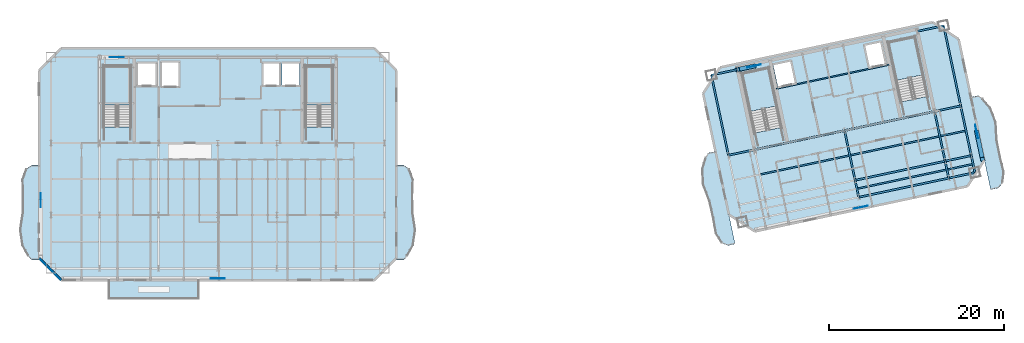
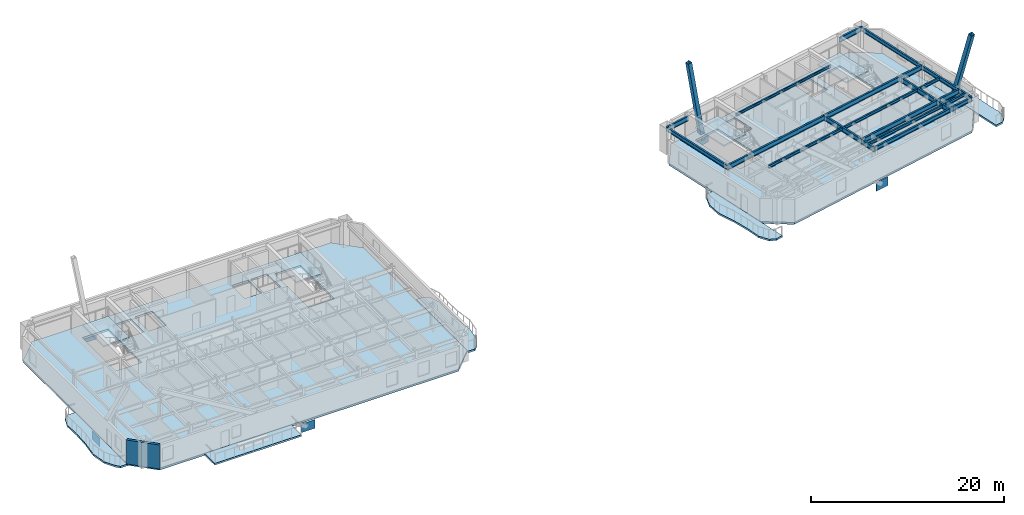
# One storey, part 4 of 14: 24 beams, 11 slabs, 6 plates, 2 members, 1 wall, 4 elements without a shape of their own.
"""IFC4 building model written with IfcOpenShell, lengths in metres."""

from ifc_helpers import new_model, si_unit, direction, frame, frame_2d, origin, origin_2d, place, context, subcontext, project, spatial, polyline, rectangle, hollow_rectangle, i_section, outline, extrude, material, layer, layer_set, material_profile, profile_set, type_object, element, aggregate, save


model = new_model("IFC4")

# Units and contexts
model_context = context("Model", 3, precision=1e-05, world=origin(), true_north=direction((0.0, 1.0)))
body_context = subcontext(model_context, "Body", "Model", "MODEL_VIEW")
ifc_project = project(units=[si_unit("LENGTHUNIT", "METRE"), si_unit("AREAUNIT", "SQUARE_METRE"), si_unit("VOLUMEUNIT", "CUBIC_METRE"), si_unit("PLANEANGLEUNIT", "RADIAN"), si_unit("MASSUNIT", "GRAM", prefix="KILO")], contexts=[model_context])

# Site, building, storey
site_placement = place(None, origin())
site = spatial("IfcSite", under=ifc_project, at=site_placement, CompositionType="ELEMENT")
building_placement = place(site_placement, origin())
building = spatial("IfcBuilding", under=site, at=building_placement, Name="Haevon Station Towers", CompositionType="ELEMENT")
storey_placement = place(building_placement, frame((0.0, 0.0, 208.800048828125)))
storey = spatial("IfcBuildingStorey", under=building, at=storey_placement, Name="L57", CompositionType="ELEMENT", Elevation=208.800048828125)

# Beams
ifc_material_1 = material(Name="Steel S355", Category="steel")
ifc_material_profile_1 = material_profile(ifc_material_1, i_section(OverallWidth=0.199951171875, OverallDepth=0.60009765625, WebThickness=0.010986328125, FlangeThickness=0.01708984375, at=origin_2d()), Name="H-600x200x11x17")
ifc_profile_set_1 = profile_set([ifc_material_profile_1], Name="Steel S355")
beam_type_1 = type_object("IfcBeamType", Name="BM-G600", PredefinedType="BEAM", material=ifc_profile_set_1)
beam_1_placement = place(storey_placement, frame((110.228759765625, 33.9521484375, 2.75), z_axis=(0.978146794194, 0.207915485254, 0.0), x_axis=(-0.207915485254, 0.978146794194, 0.0)))
element("IfcBeam", 1, at=beam_1_placement, inside=storey, type_object=beam_type_1, Name="BM-T2U-L57-02-03", PredefinedType="BEAM", context=body_context, shape_type="SweptSolid", body=[
    extrude(i_section(OverallWidth=0.199951171875, OverallDepth=0.60009765625, WebThickness=0.010986328125, FlangeThickness=0.01708984375, at=origin_2d()), origin(), (0.0, 0.0, 1.0), 10.5),
])
for number, where, z_axis, x_axis, name in (
    (2, (120.499267578125, 36.13525390625, 2.75), (0.978138503145, 0.207954487003, 0.0), (-0.207954487003, 0.978138503145, 0.0), "BM-T2U-L57-02-04"),
    (3, (95.76904296875, 36.808349609375, 2.75), (0.978154782045, 0.207877902534, 0.0), (-0.207877902534, 0.978154782045, 0.0), "BM-T2U-L57-03-01"),
):
    element("IfcBeam", number, at=place(storey_placement, frame(where, z_axis=z_axis, x_axis=x_axis)), inside=storey, type_object=beam_type_1, Name=name, PredefinedType="BEAM", context=body_context, shape_type="SweptSolid", body=[
        extrude(i_section(OverallWidth=0.199951171875, OverallDepth=0.60009765625, WebThickness=0.010986328125, FlangeThickness=0.01708984375, at=origin_2d()), origin(), (0.0, 0.0, 1.0), 3.050048828125),
    ])
for number, where, z_axis, x_axis, name in (
    (4, (98.75244140625, 37.4423828125, 2.75), (0.978146794194, 0.207915485254, 0.0), (-0.207915485254, 0.978146794194, 0.0), "BM-T2U-L57-03-02"),
    (5, (109.02294921875, 39.62548828125, 2.75), (0.978146794194, 0.207915485254, 0.0), (-0.207915485254, 0.978146794194, 0.0), "BM-T2U-L57-03-03"),
):
    element("IfcBeam", number, at=place(storey_placement, frame(where, z_axis=z_axis, x_axis=x_axis)), inside=storey, type_object=beam_type_1, Name=name, PredefinedType="BEAM", context=body_context, shape_type="SweptSolid", body=[
        extrude(i_section(OverallWidth=0.199951171875, OverallDepth=0.60009765625, WebThickness=0.010986328125, FlangeThickness=0.01708984375, at=origin_2d()), origin(), (0.0, 0.0, 1.0), 10.5),
    ])
for number, where, z_axis, x_axis, name in (
    (6, (119.29345703125, 41.80859375, 2.75), (0.978154782045, 0.207877902534, 0.0), (-0.207877902534, 0.978154782045, 0.0), "BM-T2U-L57-03-04"),
    (7, (93.824951171875, 45.953857421875, 2.75), (0.978138503145, 0.207954487003, 0.0), (-0.207954487003, 0.978138503145, 0.0), "BM-T2U-L57-04-01"),
    (8, (117.349365234375, 50.954345703125, 2.75), (0.978154782045, 0.207877902534, 0.0), (-0.207877902534, 0.978154782045, 0.0), "BM-T2U-L57-04-04"),
):
    element("IfcBeam", number, at=place(storey_placement, frame(where, z_axis=z_axis, x_axis=x_axis)), inside=storey, type_object=beam_type_1, Name=name, PredefinedType="BEAM", context=body_context, shape_type="SweptSolid", body=[
        extrude(i_section(OverallWidth=0.199951171875, OverallDepth=0.60009765625, WebThickness=0.010986328125, FlangeThickness=0.01708984375, at=origin_2d()), origin(), (0.0, 0.0, 1.0), 3.050048828125),
    ])
beam_2_placement = place(storey_placement, frame((110.640380859375, 32.015380859375, 2.75), z_axis=(-0.207886774674, 0.978152896492, 0.0), x_axis=(-0.978152896492, -0.207886774674, 0.0)))
element("IfcBeam", 9, at=beam_2_placement, inside=storey, type_object=beam_type_1, Name="BM-T2V-L57-03-01", PredefinedType="BEAM", context=body_context, shape_type="SweptSolid", body=[
    extrude(i_section(OverallWidth=0.199951171875, OverallDepth=0.60009765625, WebThickness=0.010986328125, FlangeThickness=0.01708984375, at=origin_2d()), origin(), (0.0, 0.0, 1.0), 1.97998046875),
])
beam_3_placement = place(storey_placement, frame((110.228759765625, 33.9521484375, 2.75), z_axis=(-0.207896009217, 0.97815093383, 0.0), x_axis=(-0.97815093383, -0.207896009217, 0.0)))
element("IfcBeam", 10, at=beam_3_placement, inside=storey, type_object=beam_type_1, Name="BM-T2V-L57-03-02", PredefinedType="BEAM", context=body_context, shape_type="SweptSolid", body=[
    extrude(i_section(OverallWidth=0.199951171875, OverallDepth=0.60009765625, WebThickness=0.010986328125, FlangeThickness=0.01708984375, at=origin_2d()), origin(), (0.0, 0.0, 1.0), 5.800048828125),
])
beam_4_placement = place(storey_placement, frame((120.910888671875, 34.198486328125, 2.75), z_axis=(-0.207886774674, 0.978152896492, 0.0), x_axis=(-0.978152896492, -0.207886774674, 0.0)))
element("IfcBeam", 11, at=beam_4_placement, inside=storey, type_object=beam_type_1, Name="BM-T2V-L57-04-01", PredefinedType="BEAM", context=body_context, shape_type="SweptSolid", body=[
    extrude(i_section(OverallWidth=0.199951171875, OverallDepth=0.60009765625, WebThickness=0.010986328125, FlangeThickness=0.01708984375, at=origin_2d()), origin(), (0.0, 0.0, 1.0), 1.97998046875),
])
beam_5_placement = place(storey_placement, frame((120.499267578125, 36.13525390625, 2.75), z_axis=(-0.207896009217, 0.97815093383, 0.0), x_axis=(-0.97815093383, -0.207896009217, 0.0)))
element("IfcBeam", 12, at=beam_5_placement, inside=storey, type_object=beam_type_1, Name="BM-T2V-L57-04-02", PredefinedType="BEAM", context=body_context, shape_type="SweptSolid", body=[
    extrude(i_section(OverallWidth=0.199951171875, OverallDepth=0.60009765625, WebThickness=0.010986328125, FlangeThickness=0.01708984375, at=origin_2d()), origin(), (0.0, 0.0, 1.0), 5.800048828125),
])
ifc_material_profile_2 = material_profile(ifc_material_1, i_section(OverallWidth=0.175048828125, OverallDepth=0.35009765625, WebThickness=0.007080078125, FlangeThickness=0.010986328125, at=origin_2d()), Name="H-350x175x7x11")
ifc_profile_set_2 = profile_set([ifc_material_profile_2], Name="Steel S355")
beam_type_2 = type_object("IfcBeamType", Name="BM-J350", PredefinedType="JOIST", material=ifc_profile_set_2)
beam_6_placement = place(storey_placement, frame((110.542236328125, 33.0068359375, 2.875), z_axis=(0.978150339653, 0.207898804801, 0.0), x_axis=(-0.207898804801, 0.978150339653, 0.0)))
element("IfcBeam", 13, at=beam_6_placement, inside=storey, type_object=beam_type_2, Name="BM-T2J-L57-01-03", PredefinedType="JOIST", context=body_context, shape_type="SweptSolid", body=[
    extrude(i_section(OverallWidth=0.175048828125, OverallDepth=0.35009765625, WebThickness=0.007080078125, FlangeThickness=0.010986328125, at=origin_2d()), origin(), (0.0, 0.0, 1.0), 10.280029296875),
])
beam_7_placement = place(storey_placement, frame((120.812744140625, 35.189697265625, 2.875), z_axis=(0.9781470094, 0.207914472804, 0.0), x_axis=(-0.207914472804, 0.9781470094, 0.0)))
element("IfcBeam", 14, at=beam_7_placement, inside=storey, type_object=beam_type_2, Name="BM-T2J-L57-01-04", PredefinedType="JOIST", context=body_context, shape_type="SweptSolid", body=[
    extrude(i_section(OverallWidth=0.175048828125, OverallDepth=0.35009765625, WebThickness=0.007080078125, FlangeThickness=0.010986328125, at=origin_2d()), origin(), (0.0, 0.0, 1.0), 2.829833984375),
])
for number, where, z_axis, x_axis, name in (
    (15, (99.462890625, 34.628662109375, 2.875), (0.978150339653, 0.207898804801, 0.0), (-0.207898804801, 0.978150339653, 0.0), "BM-T2J-L57-02-02"),
    (16, (109.7333984375, 36.811767578125, 2.875), (0.978150339653, 0.207898804801, 0.0), (-0.207898804801, 0.978150339653, 0.0), "BM-T2J-L57-02-03"),
):
    element("IfcBeam", number, at=place(storey_placement, frame(where, z_axis=z_axis, x_axis=x_axis)), inside=storey, type_object=beam_type_2, Name=name, PredefinedType="JOIST", context=body_context, shape_type="SweptSolid", body=[
        extrude(i_section(OverallWidth=0.175048828125, OverallDepth=0.35009765625, WebThickness=0.007080078125, FlangeThickness=0.010986328125, at=origin_2d()), origin(), (0.0, 0.0, 1.0), 10.280029296875),
    ])
beam_8_placement = place(storey_placement, frame((120.00390625, 38.994873046875, 2.875), z_axis=(0.978150738312, 0.207896929124, 0.0), x_axis=(-0.207896929124, 0.978150738312, 0.0)))
element("IfcBeam", 17, at=beam_8_placement, inside=storey, type_object=beam_type_2, Name="BM-T2J-L57-02-04", PredefinedType="JOIST", context=body_context, shape_type="SweptSolid", body=[
    extrude(i_section(OverallWidth=0.175048828125, OverallDepth=0.35009765625, WebThickness=0.007080078125, FlangeThickness=0.010986328125, at=origin_2d()), origin(), (0.0, 0.0, 1.0), 2.830078125),
])
ifc_material_profile_3 = material_profile(ifc_material_1, i_section(OverallWidth=0.14990234375, OverallDepth=0.300048828125, WebThickness=0.006591796875, FlangeThickness=0.009033203125, at=origin_2d()), Name="H-300x150x6.5x9")
ifc_profile_set_3 = profile_set([ifc_material_profile_3], Name="Steel S355")
beam_type_3 = type_object("IfcBeamType", Name="BM-LIN300", PredefinedType="LINTEL", material=ifc_profile_set_3)
beam_9_placement = place(storey_placement, frame((101.20849609375, 44.4052734375, 2.89990234375), z_axis=(0.978147802964, 0.207910739399, 0.0), x_axis=(-0.207910739399, 0.978147802964, 0.0)))
element("IfcBeam", 18, at=beam_9_placement, inside=storey, type_object=beam_type_3, Name="BM-T2LIN-L57", PredefinedType="LINTEL", context=body_context, shape_type="SweptSolid", body=[
    extrude(i_section(OverallWidth=0.14990234375, OverallDepth=0.300048828125, WebThickness=0.006591796875, FlangeThickness=0.009033203125, at=origin_2d()), origin(), (0.0, 0.0, 1.0), 13.19970703125),
])
ifc_material_profile_4 = material_profile(ifc_material_1, i_section(OverallWidth=0.199951171875, OverallDepth=0.5, WebThickness=0.010009765625, FlangeThickness=0.01611328125, at=origin_2d()), Name="H-500x200x10x16")
ifc_profile_set_4 = profile_set([ifc_material_profile_4], Name="Steel S355")
beam_type_4 = type_object("IfcBeamType", Name="BM-SP500", PredefinedType="SPANDREL", material=ifc_profile_set_4)
beam_10_placement = place(storey_placement, frame((110.640380859375, 32.015380859375, 2.800048828125), z_axis=(0.978146794194, 0.207915485254, 0.0), x_axis=(-0.207915485254, 0.978146794194, 0.0)))
element("IfcBeam", 19, at=beam_10_placement, inside=storey, type_object=beam_type_4, Name="BM-T2U-L57-01-03", PredefinedType="SPANDREL", context=body_context, shape_type="SweptSolid", body=[
    extrude(i_section(OverallWidth=0.199951171875, OverallDepth=0.5, WebThickness=0.010009765625, FlangeThickness=0.01611328125, at=origin_2d()), origin(), (0.0, 0.0, 1.0), 10.5),
])
beam_11_placement = place(storey_placement, frame((120.910888671875, 34.198486328125, 2.800048828125), z_axis=(0.978138503145, 0.207954487003, 0.0), x_axis=(-0.207954487003, 0.978138503145, 0.0)))
element("IfcBeam", 20, at=beam_11_placement, inside=storey, type_object=beam_type_4, Name="BM-T2U-L57-01-04", PredefinedType="SPANDREL", context=body_context, shape_type="SweptSolid", body=[
    extrude(i_section(OverallWidth=0.199951171875, OverallDepth=0.5, WebThickness=0.010009765625, FlangeThickness=0.01611328125, at=origin_2d()), origin(), (0.0, 0.0, 1.0), 3.050048828125),
])
beam_12_placement = place(storey_placement, frame((95.76904296875, 36.808349609375, 2.800048828125), z_axis=(-0.207927460032, 0.978144248751, 0.0), x_axis=(-0.978144248751, -0.207927460032, 0.0)))
element("IfcBeam", 21, at=beam_12_placement, inside=storey, type_object=beam_type_4, Name="BM-T2V-L57-01-03", PredefinedType="SPANDREL", context=body_context, shape_type="SweptSolid", body=[
    extrude(i_section(OverallWidth=0.199951171875, OverallDepth=0.5, WebThickness=0.010009765625, FlangeThickness=0.01611328125, at=origin_2d()), origin(), (0.0, 0.0, 1.0), 9.349853515625),
])
beam_13_placement = place(storey_placement, frame((123.894287109375, 34.832763671875, 2.800048828125), z_axis=(-0.207886774674, 0.978152896492, 0.0), x_axis=(-0.978152896492, -0.207886774674, 0.0)))
element("IfcBeam", 22, at=beam_13_placement, inside=storey, type_object=beam_type_4, Name="BM-T2V-L57-05-01", PredefinedType="SPANDREL", context=body_context, shape_type="SweptSolid", body=[
    extrude(i_section(OverallWidth=0.199951171875, OverallDepth=0.5, WebThickness=0.010009765625, FlangeThickness=0.01611328125, at=origin_2d()), origin(), (0.0, 0.0, 1.0), 1.97998046875),
])
beam_14_placement = place(storey_placement, frame((123.482666015625, 36.76953125, 2.800048828125), z_axis=(-0.207904569273, 0.978149114438, 0.0), x_axis=(-0.978149114438, -0.207904569273, 0.0)))
element("IfcBeam", 23, at=beam_14_placement, inside=storey, type_object=beam_type_4, Name="BM-T2V-L57-05-02", PredefinedType="SPANDREL", context=body_context, shape_type="SweptSolid", body=[
    extrude(i_section(OverallWidth=0.199951171875, OverallDepth=0.5, WebThickness=0.010009765625, FlangeThickness=0.01611328125, at=origin_2d()), origin(), (0.0, 0.0, 1.0), 5.7998046875),
])
beam_15_placement = place(storey_placement, frame((122.27685546875, 42.442626953125, 2.800048828125), z_axis=(-0.207922149488, 0.978145377616, 0.0), x_axis=(-0.978145377616, -0.207922149488, 0.0)))
element("IfcBeam", 24, at=beam_15_placement, inside=storey, type_object=beam_type_4, Name="BM-T2V-L57-05-03", PredefinedType="SPANDREL", context=body_context, shape_type="SweptSolid", body=[
    extrude(i_section(OverallWidth=0.199951171875, OverallDepth=0.5, WebThickness=0.010009765625, FlangeThickness=0.01611328125, at=origin_2d()), origin(), (0.0, 0.0, 1.0), 9.35009765625),
])

# Members
ifc_material_2 = material(Name="Steel S460", Category="steel")
ifc_material_profile_5 = material_profile(ifc_material_2, hollow_rectangle(XDim=0.47998046875, YDim=0.47998046875, WallThickness=0.02490234375, at=origin_2d()), Name="RHS-480x480x25")
ifc_profile_set_5 = profile_set([ifc_material_profile_5], Name="Steel S460")
member_type = type_object("IfcMemberType", Name="MB-480", PredefinedType="BRACE", material=ifc_profile_set_5)
member_1_placement = place(storey_placement, frame((98.64794921875, 46.97900390625, -0.786865234375), z_axis=(-0.171870836983, -0.036518276046, 0.984442395933), x_axis=(0.207835466893, -0.978163799525, 0.0)))
element("IfcMember", 25, at=member_1_placement, inside=storey, type_object=member_type, Name="BR-T2MB-T08-N-D2B", PredefinedType="BRACE", context=body_context, shape_type="SweptSolid", body=[
    extrude(hollow_rectangle(XDim=0.47998046875, YDim=0.47998046875, WallThickness=0.02490234375, at=origin_2d()), origin(), (0.0, 0.0, 1.0), 10.703369140625),
])
member_2_placement = place(storey_placement, frame((124.10986328125, 39.44580078125, -0.793701171875), z_axis=(0.059831114032, -0.281414691278, 0.957719170387), x_axis=(0.978137297084, 0.207960159774, 0.0)))
element("IfcMember", 26, at=member_2_placement, inside=storey, type_object=member_type, Name="BR-T2MB-T08-E-D2B", PredefinedType="BRACE", context=body_context, shape_type="SweptSolid", body=[
    extrude(hollow_rectangle(XDim=0.47998046875, YDim=0.47998046875, WallThickness=0.02490234375, at=origin_2d()), origin(), (0.0, 0.0, 1.0), 11.00927734375),
])

# Plates
ifc_material_3 = material(Name="PL-GUS1", Category="steel")
ifc_layer_1 = layer(ifc_material_3, 0.035888671875)
ifc_layer_set_1 = layer_set([ifc_layer_1], Name="PL-GUS1")
plate_type = type_object("IfcPlateType", Name="PL-GUS1", PredefinedType="USERDEFINED", material=ifc_layer_set_1)
for number, where, z_axis, x_axis, name in (
    (27, (37.5, 22.72998046875, -1.585205078125), (0.0, 0.0, 1.0), (1.0, 0.0, 0.0), "PL-T1GUS-T08-S"),
    (28, (25.97509765625, 48.0, -1.585205078125), (0.0, 0.0, 1.0), (1.0, 0.0, 0.0), "PL-T1GUS-T08-N"),
    (29, (17.304931640625, 31.699951171875, -1.585205078125), (0.0, 0.0, 1.0), (0.0, 1.0, 0.0), "PL-T1GUS-T08-W"),
    (30, (110.8837890625, 30.87109375, -1.585205078125), (0.0, 0.0, 1.0), (0.978147600734, 0.207911690818, 0.0), "PL-T2GUS-T08-S"),
    (31, (98.69140625, 46.98828125, -1.585205078125), (0.0, 0.0, 1.0), (0.978147600734, 0.207911690818, 0.0), "PL-T2GUS-T08-N"),
    (32, (124.094970703125, 39.516845703125, -1.585205078125), (0.0, 0.0, 1.0), (-0.207911690818, 0.978147600734, 0.0), "PL-T2GUS-T08-E"),
):
    element("IfcPlate", number, at=place(storey_placement, frame(where, z_axis=z_axis, x_axis=x_axis)), inside=storey, type_object=plate_type, Name=name, ObjectType="GUSSET_PLATE", PredefinedType="USERDEFINED", context=body_context, shape_type="SweptSolid", body=[
        extrude(rectangle(XDim=1.60009765625, YDim=0.035888671875, at=origin_2d()), origin(), (0.0, 0.0, 1.0), 1.10009765625),
    ])

# Slabs
ifc_material_4 = material(Name="Concrete C40/50", Category="concrete")
ifc_layer_2 = layer(ifc_material_4, 0.219970703125)
ifc_layer_set_2 = layer_set([ifc_layer_2], Name="Concrete C40/50")
slab_type_1 = type_object("IfcSlabType", Name="SL-BALC220", PredefinedType="FLOOR", material=ifc_layer_set_2)
slab_1_placement = place(storey_placement, frame((0.0, 0.0, -0.219970703125)))
element("IfcSlab", 33, at=slab_1_placement, inside=storey, type_object=slab_type_1, Name="Tower 1 L57 West SCALLOPED BALCONY", PredefinedType="FLOOR", context=body_context, shape_type="SweptSolid", body=[
    extrude(outline(polyline([(17.1201171875, 35.675048828125), (16.27001953125, 35.675048828125), (15.65673828125, 35.263916015625), (15.227783203125, 34.09326171875), (15.2841796875, 32.341552734375), (15.199462890625, 30.27490234375), (14.941162109375, 28.20849609375), (15.227783203125, 26.45654296875), (15.886962890625, 25.2861328125), (16.27001953125, 24.875), (17.1201171875, 24.875), (17.1201171875, 35.675048828125)])), origin(), (0.0, 0.0, 1.0), 0.219970703125),
])
slab_2_placement = place(storey_placement, frame((0.0, 0.0, -0.219970703125)))
element("IfcSlab", 34, at=slab_2_placement, inside=storey, type_object=slab_type_1, Name="Tower 1 L57 East SCALLOPED BALCONY", PredefinedType="FLOOR", context=body_context, shape_type="SweptSolid", body=[
    extrude(outline(polyline([(57.8798828125, 24.875), (58.72998046875, 24.875), (59.113037109375, 25.2861328125), (59.772216796875, 26.45654296875), (60.058837890625, 28.20849609375), (59.800537109375, 30.27490234375), (59.7158203125, 32.341552734375), (59.772216796875, 34.09326171875), (59.34326171875, 35.263916015625), (58.72998046875, 35.675048828125), (57.8798828125, 35.675048828125), (57.8798828125, 24.875)])), origin(), (0.0, 0.0, 1.0), 0.219970703125),
])
slab_3_placement = place(storey_placement, frame((0.0, 0.0, -0.219970703125)))
element("IfcSlab", 35, at=slab_3_placement, inside=storey, type_object=slab_type_1, Name="Tower 1 L57 Planted Balcony Band", PredefinedType="FLOOR", context=body_context, shape_type="SweptSolid", body=[
    extrude(outline(polyline([(25.0, 20.449951171875), (35.39990234375, 20.449951171875), (35.39990234375, 22.544921875), (25.0, 22.544921875), (25.0, 20.449951171875)])), origin(), (0.0, 0.0, 1.0), 0.219970703125),
])
slab_4_placement = place(storey_placement, frame((0.0, 0.0, -0.219970703125)))
element("IfcSlab", 36, at=slab_4_placement, inside=storey, type_object=slab_type_1, Name="Tower 2 L57 West SCALLOPED BALCONY", PredefinedType="FLOOR", context=body_context, shape_type="SweptSolid", body=[
    extrude(outline(polyline([(94.290771484375, 37.24560546875), (93.45947265625, 37.06884765625), (93.170166015625, 36.587158203125), (92.768798828125, 35.304931640625), (92.852783203125, 33.53173828125), (93.534912109375, 31.564208984375), (94.047607421875, 29.560546875), (94.3564453125, 27.835205078125), (95.01953125, 26.779296875), (95.704833984375, 26.5048828125), (96.5361328125, 26.681396484375), (94.290771484375, 37.24560546875)])), origin(), (0.0, 0.0, 1.0), 0.219970703125),
])
slab_5_placement = place(storey_placement, frame((0.0, 0.0, -0.219970703125)))
element("IfcSlab", 37, at=slab_5_placement, inside=storey, type_object=slab_type_1, Name="Tower 2 L57 East SCALLOPED BALCONY", PredefinedType="FLOOR", context=body_context, shape_type="SweptSolid", body=[
    extrude(outline(polyline([(125.69482421875, 32.87939453125), (126.5263671875, 33.05615234375), (127.040771484375, 33.585693359375), (127.216796875, 34.81982421875), (126.79736328125, 36.521728515625), (126.45068359375, 38.560546875), (126.273681640625, 40.6357421875), (125.629150390625, 42.289794921875), (124.74072265625, 43.297607421875), (124.28076171875, 43.6201171875), (123.449462890625, 43.443359375), (125.69482421875, 32.87939453125)])), origin(), (0.0, 0.0, 1.0), 0.219970703125),
])

# Stair, slab
stair_type = type_object("IfcStairType", Name="STR-DL1450", PredefinedType="USERDEFINED", material=ifc_material_4)
stair_1_placement = place(storey_placement, origin())
stair_1 = element("IfcStair", 38, at=stair_1_placement, inside=storey, type_object=stair_type, Name="L57 Escape Stair ST1", ObjectType="TWO_RETURN_STAIR", PredefinedType="USERDEFINED")
ifc_layer_3 = layer(ifc_material_4, 0.199951171875)
ifc_layer_set_3 = layer_set([ifc_layer_3], Name="Concrete C40/50")
slab_type_2 = type_object("IfcSlabType", Name="SL-LND200", PredefinedType="LANDING", material=ifc_layer_set_3)
slab_6_placement = place(storey_placement, frame((0.0, 0.0, 1.449951171875)))
slab_6 = element("IfcSlab", 39, at=slab_6_placement, type_object=slab_type_2, Name="L57 ST1 Half Landing 1", PredefinedType="LANDING", context=body_context, shape_type="SweptSolid", body=[
    extrude(outline(polyline([(27.580078125, 42.56396484375), (27.580078125, 47.0), (24.47998046875, 47.0), (24.47998046875, 42.56396484375), (27.580078125, 42.56396484375)])), origin(), (0.0, 0.0, 1.0), 0.199951171875),
])
aggregate(stair_1, [slab_6])

stair_2_placement = place(storey_placement, origin())
stair_2 = element("IfcStair", 40, at=stair_2_placement, inside=storey, type_object=stair_type, Name="L57 Escape Stair ST2", ObjectType="TWO_RETURN_STAIR", PredefinedType="USERDEFINED")
slab_7_placement = place(storey_placement, frame((0.0, 0.0, 1.449951171875)))
slab_7 = element("IfcSlab", 41, at=slab_7_placement, type_object=slab_type_2, Name="L57 ST2 Half Landing 1", PredefinedType="LANDING", context=body_context, shape_type="SweptSolid", body=[
    extrude(outline(polyline([(50.6201171875, 42.56396484375), (50.6201171875, 47.0), (47.52001953125, 47.0), (47.52001953125, 42.56396484375), (50.6201171875, 42.56396484375)])), origin(), (0.0, 0.0, 1.0), 0.199951171875),
])
aggregate(stair_2, [slab_7])

stair_3_placement = place(storey_placement, origin())
stair_3 = element("IfcStair", 42, at=stair_3_placement, inside=storey, type_object=stair_type, Name="L57 Escape Stair ST3", ObjectType="TWO_RETURN_STAIR", PredefinedType="USERDEFINED")
slab_8_placement = place(storey_placement, frame((0.0, 0.0, 1.449951171875)))
slab_8 = element("IfcSlab", 43, at=slab_8_placement, type_object=slab_type_2, Name="L57 ST3 Half Landing 1", PredefinedType="LANDING", context=body_context, shape_type="SweptSolid", body=[
    extrude(outline(polyline([(101.2880859375, 42.44287109375), (100.36572265625, 46.781982421875), (97.33349609375, 46.137451171875), (98.255859375, 41.79833984375), (101.2880859375, 42.44287109375)])), origin(), (0.0, 0.0, 1.0), 0.199951171875),
])
aggregate(stair_3, [slab_8])

stair_4_placement = place(storey_placement, origin())
stair_4 = element("IfcStair", 44, at=stair_4_placement, inside=storey, type_object=stair_type, Name="L57 Escape Stair ST4", ObjectType="TWO_RETURN_STAIR", PredefinedType="USERDEFINED")
slab_9_placement = place(storey_placement, frame((0.0, 0.0, 1.449951171875)))
slab_9 = element("IfcSlab", 45, at=slab_9_placement, type_object=slab_type_2, Name="L57 ST4 Half Landing 1", PredefinedType="LANDING", context=body_context, shape_type="SweptSolid", body=[
    extrude(outline(polyline([(117.975341796875, 45.989990234375), (117.052978515625, 50.328857421875), (114.020751953125, 49.684326171875), (114.943115234375, 45.345458984375), (117.975341796875, 45.989990234375)])), origin(), (0.0, 0.0, 1.0), 0.199951171875),
])
aggregate(stair_4, [slab_9])

# Slabs
ifc_layer_4 = layer(ifc_material_4, 0.25)
ifc_layer_set_4 = layer_set([ifc_layer_4], Name="Concrete C40/50")
slab_type_3 = type_object("IfcSlabType", Name="SL-TW250", PredefinedType="FLOOR", material=ifc_layer_set_4)
slab_10_placement = place(storey_placement, frame((0.0, 0.0, -0.25)))
element("IfcSlab", 46, at=slab_10_placement, inside=storey, type_object=slab_type_3, Name="SL-T1-L57", PredefinedType="FLOOR", context=body_context, shape_type="SweptSolid", body=[
    extrude(outline(polyline([(19.625, 22.550048828125), (55.375, 22.550048828125), (57.875, 25.050048828125), (57.875, 46.5), (55.375, 49.0), (19.625, 49.0), (17.125, 46.5), (17.125, 25.050048828125), (19.625, 22.550048828125)]), holes=[polyline([(27.580078125, 40.055908203125), (27.580078125, 47.0), (24.47998046875, 47.0), (24.47998046875, 40.055908203125), (27.580078125, 40.055908203125)]), polyline([(50.6201171875, 40.055908203125), (50.6201171875, 47.0), (47.52001953125, 47.0), (47.52001953125, 40.055908203125), (50.6201171875, 40.055908203125)]), polyline([(28.300048828125, 44.699951171875), (30.5, 44.699951171875), (30.5, 47.39990234375), (28.300048828125, 47.39990234375), (28.300048828125, 44.699951171875)]), polyline([(31.050048828125, 44.60009765625), (33.14990234375, 44.60009765625), (33.14990234375, 47.5), (31.050048828125, 47.5), (31.050048828125, 44.60009765625)]), polyline([(42.60009765625, 44.699951171875), (44.60009765625, 44.699951171875), (44.60009765625, 47.39990234375), (42.60009765625, 47.39990234375), (42.60009765625, 44.699951171875)]), polyline([(44.85009765625, 44.699951171875), (46.85009765625, 44.699951171875), (46.85009765625, 47.39990234375), (44.85009765625, 47.39990234375), (44.85009765625, 44.699951171875)])]), origin(), (0.0, 0.0, 1.0), 0.25),
])
slab_11_placement = place(storey_placement, frame((0.0, 0.0, -0.25)))
element("IfcSlab", 47, at=slab_11_placement, inside=storey, type_object=slab_type_3, Name="SL-T2-L57", PredefinedType="FLOOR", context=body_context, shape_type="SweptSolid", body=[
    extrude(outline(polyline([(98.7919921875, 28.116943359375), (123.050048828125, 33.273193359375), (124.975830078125, 36.23828125), (122.037841796875, 50.0595703125), (119.07275390625, 51.985107421875), (94.814697265625, 46.828857421875), (92.88916015625, 43.86376953125), (95.826904296875, 30.04248046875), (98.7919921875, 28.116943359375)]), holes=[polyline([(101.8095703125, 39.98974609375), (100.36572265625, 46.781982421875), (97.33349609375, 46.137451171875), (98.77734375, 39.34521484375), (101.8095703125, 39.98974609375)]), polyline([(118.496826171875, 43.53662109375), (117.052978515625, 50.328857421875), (114.020751953125, 49.684326171875), (115.464599609375, 42.89208984375), (118.496826171875, 43.53662109375)]), polyline([(101.43212890625, 44.554931640625), (103.486328125, 44.99169921875), (102.9248046875, 47.632568359375), (100.870849609375, 47.196044921875), (101.43212890625, 44.554931640625)]), polyline([(111.800537109375, 46.7587890625), (113.7568359375, 47.174560546875), (113.1953125, 49.815673828125), (111.239013671875, 49.39990234375), (111.800537109375, 46.7587890625)])]), origin(), (0.0, 0.0, 1.0), 0.25),
])

# Wall
ifc_material_5 = material(Name="Precast concrete C45/55", Category="concrete")
ifc_layer_5 = layer(ifc_material_5, 0.280029296875)
ifc_layer_set_5 = layer_set([ifc_layer_5], Name="Precast concrete C45/55")
wall_type = type_object("IfcWallType", Name="WL-EXT-PIER280", PredefinedType="SOLIDWALL", material=ifc_layer_set_5)
wall_placement = place(storey_placement, frame((19.625, 22.550048828125, 0.0), z_axis=(0.0, 0.0, 1.0), x_axis=(-0.707106781187, 0.707106781187, 0.0)))
element("IfcWall", 48, at=wall_placement, inside=storey, type_object=wall_type, Name="WL-T1-L57-SWC", PredefinedType="SOLIDWALL", context=body_context, shape_type="SweptSolid", body=[
    extrude(rectangle(XDim=3.53564453125, YDim=0.280029296875, at=frame_2d((1.767822265625, 0.0))), origin(), (0.0, 0.0, 1.0), 3.030029296875),
])

save(model, "model.ifc")
